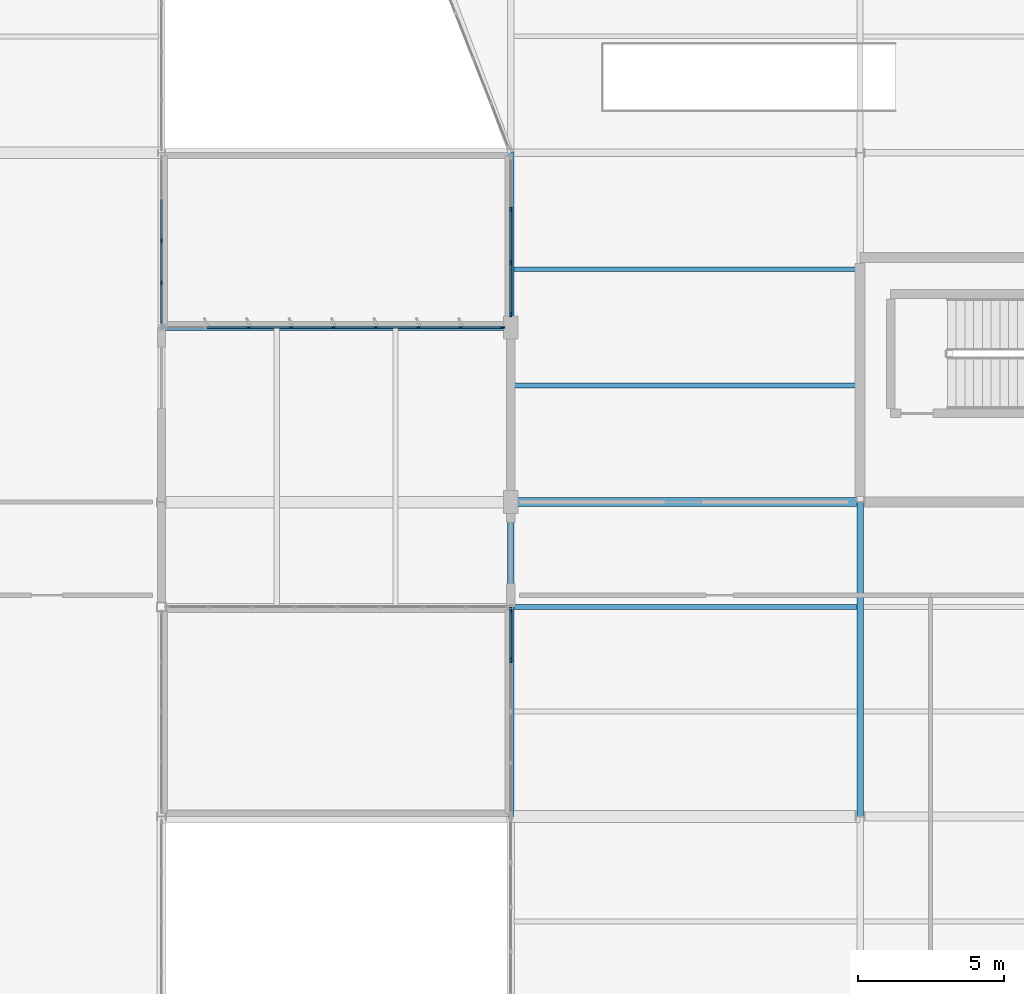
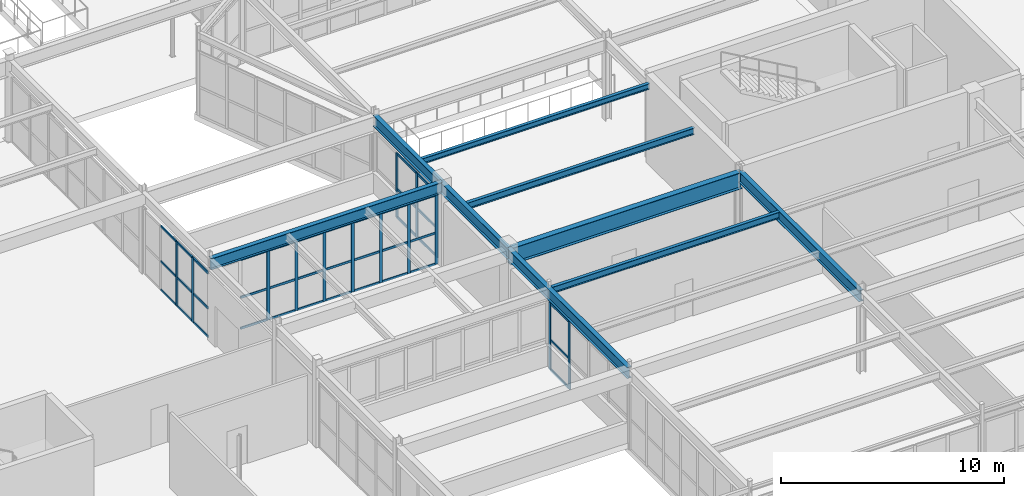
# One storey, part 108 of 226: 53 members, 8 beams, 4 elements without a shape of their own.
"""IFC4 building model written with IfcOpenShell, lengths in metres."""

import ifcopenshell
import ifcopenshell.guid

model = None  # the IFC model being written
_history = None  # IfcOwnerHistory: only IFC2X3 demands one
_inside = {}  # id of a spatial element -> (the spatial element, [elements in it])
_under = {}  # id of a project, library or spatial element -> (it, [spatial elements below it])
_declared = {}  # id of a project -> (the project, [libraries it declares])
_typed = {}  # id of a type object -> (the type object, [elements of that type])
_made_of = {}  # id of a material, layer set ... -> (it, [elements and type objects made of it])


def new_model(schema):
    """Start an empty IFC model of exactly this schema.

    Asked for "IFC4X3", IfcOpenShell would pick the latest addendum, in which some entities
    have other attributes; the version numbers below select the first issue.
    IFC2X3 requires an IfcOwnerHistory on every rooted entity: one is made here for all.
    """
    global model, _history
    if schema == "IFC4X3":
        model = ifcopenshell.file(schema_version=(4, 3, 0, 0))
    else:
        model = ifcopenshell.file(schema=schema)
    _inside.clear()
    _under.clear()
    _declared.clear()
    _typed.clear()
    _made_of.clear()
    _history = None
    if model.schema == "IFC2X3":
        org = make("IfcOrganization", Name="unknown")
        user = make(
            "IfcPersonAndOrganization",
            ThePerson=make("IfcPerson", FamilyName="unknown"),
            TheOrganization=org,
        )
        app = make(
            "IfcApplication",
            ApplicationDeveloper=org,
            Version="unknown",
            ApplicationFullName="unknown",
            ApplicationIdentifier="unknown",
        )
        _history = make(
            "IfcOwnerHistory",
            OwningUser=user,
            OwningApplication=app,
            ChangeAction="ADDED",
            CreationDate=0,
        )
    return model


def make(cls, **values):
    """One entity of the class cls with the attributes given. An attribute that is None is left unset."""
    return model.create_entity(
        cls, **{name: value for name, value in values.items() if value is not None}
    )


def rooted(cls, **values):
    """An entity with a GlobalId (a new one), such as an element, a storey or a relation."""
    return make(cls, GlobalId=ifcopenshell.guid.new(), OwnerHistory=_history, **values)


def si_unit(unit_type, name, prefix=None):
    """IfcSIUnit, for example si_unit("LENGTHUNIT", "METRE", prefix="MILLI")."""
    return make("IfcSIUnit", UnitType=unit_type, Prefix=prefix, Name=name)


def assignment(units):
    """IfcUnitAssignment: the units of a project."""
    return None if units is None else make("IfcUnitAssignment", Units=units)


def point(xyz):
    """IfcCartesianPoint."""
    return None if xyz is None else make("IfcCartesianPoint", Coordinates=xyz)


def direction(xyz):
    """IfcDirection."""
    return None if xyz is None else make("IfcDirection", DirectionRatios=xyz)


def frame(location, z_axis=None, x_axis=None):
    """IfcAxis2Placement3D, a coordinate frame: its origin and axes. An axis left out is left unset."""
    return make(
        "IfcAxis2Placement3D",
        Location=point(location),
        Axis=direction(z_axis),
        RefDirection=direction(x_axis),
    )


def frame_2d(location, x_axis=None):
    """IfcAxis2Placement2D, a coordinate frame in the plane: its origin and x axis."""
    return make(
        "IfcAxis2Placement2D", Location=point(location), RefDirection=direction(x_axis)
    )


def origin():
    """The frame at (0, 0, 0) with its axes left unset."""
    return frame((0.0, 0.0, 0.0))


def origin_2d():
    """The frame at (0, 0) in the plane with its x axis left unset."""
    return frame_2d((0.0, 0.0))


def place(relative_to, where):
    """IfcLocalPlacement: puts the frame where relative to a parent placement (None: the world)."""
    return make(
        "IfcLocalPlacement", PlacementRelTo=relative_to, RelativePlacement=where
    )


def context(
    kind, dimensions, precision=None, world=None, true_north=None, identifier=None
):
    """IfcGeometricRepresentationContext, for example the 3D "Model" context."""
    return make(
        "IfcGeometricRepresentationContext",
        ContextIdentifier=identifier,
        ContextType=kind,
        CoordinateSpaceDimension=dimensions,
        Precision=precision,
        WorldCoordinateSystem=world,
        TrueNorth=true_north,
    )


def subcontext(parent, identifier, kind, view, scale=None):
    """IfcGeometricRepresentationSubContext, for example "Body" below "Model"."""
    return make(
        "IfcGeometricRepresentationSubContext",
        ContextIdentifier=identifier,
        ContextType=kind,
        ParentContext=parent,
        TargetScale=scale,
        TargetView=view,
    )


def project(units=None, contexts=None):
    """IfcProject with its units and contexts."""
    return rooted(
        "IfcProject",
        Name="project",
        RepresentationContexts=contexts,
        UnitsInContext=assignment(units),
    )


def spatial(cls, under=None, at=None, **own):
    """A site, building, storey or space (cls), placed at a placement, below another one or the project."""
    s = rooted(cls, ObjectPlacement=at, **own)
    if under is not None:
        _under.setdefault(under.id(), (under, []))[1].append(s)
    return s


def profile(cls, at=None, kind="AREA", **sizes):
    """A parametric profile (cls). Its sizes go by their IFC names, for example OverallWidth=200.0."""
    return make(cls, ProfileType=kind, Position=at, **sizes)


def rectangle(**sizes):
    """IfcRectangleProfileDef."""
    return profile("IfcRectangleProfileDef", **sizes)


def i_section(**sizes):
    """IfcIShapeProfileDef."""
    return profile("IfcIShapeProfileDef", **sizes)


def extrude(swept, where, along, depth):
    """IfcExtrudedAreaSolid: the profile swept, set in the frame where, extruded along a direction by depth."""
    return make(
        "IfcExtrudedAreaSolid",
        SweptArea=swept,
        Position=where,
        ExtrudedDirection=direction(along),
        Depth=depth,
    )


def shape(context_of_items, identifier, shape_type, items):
    """IfcShapeRepresentation: the items that make up one representation, for example the "Body"."""
    return make(
        "IfcShapeRepresentation",
        ContextOfItems=context_of_items,
        RepresentationIdentifier=identifier,
        RepresentationType=shape_type,
        Items=items,
    )


def material(Name=None, Category=None):
    """IfcMaterial."""
    return make("IfcMaterial", Name=Name, Category=Category)


def layer(
    of_material, thickness, ventilated=None, Name=None, Category=None, Priority=None
):
    """IfcMaterialLayer: one layer of a wall or slab, of a material (None: an air gap)."""
    return make(
        "IfcMaterialLayer",
        Material=of_material,
        LayerThickness=thickness,
        IsVentilated=ventilated,
        Name=Name,
        Category=Category,
        Priority=Priority,
    )


def layer_set(layers, Name=None):
    """IfcMaterialLayerSet."""
    return make("IfcMaterialLayerSet", MaterialLayers=layers, LayerSetName=Name)


def material_profile(
    of_material, cross_section, Name=None, Category=None, Priority=None
):
    """IfcMaterialProfile: a cross section and its material."""
    return make(
        "IfcMaterialProfile",
        Name=Name,
        Material=of_material,
        Profile=cross_section,
        Priority=Priority,
        Category=Category,
    )


def profile_set(profiles, Name=None, composite=None):
    """IfcMaterialProfileSet."""
    return make(
        "IfcMaterialProfileSet",
        Name=Name,
        MaterialProfiles=profiles,
        CompositeProfile=composite,
    )


def made_of(thing, what):
    """Note that an element or type object is made of a material, layer set ...; save() writes the relation."""
    if what is not None:
        _made_of.setdefault(what.id(), (what, []))[1].append(thing)
    return thing


def type_object(cls, material=None, **own):
    """A type object (cls), such as IfcWallType, which elements share."""
    return made_of(rooted(cls, **own), material)


def element(
    cls,
    number,
    at=None,
    inside=None,
    cuts=None,
    type_object=None,
    material=None,
    context=None,
    identifier="Body",
    shape_type=None,
    held_by="IfcProductDefinitionShape",
    body=None,
    shapes=None,
    **own,
):
    """One element of the class cls, such as IfcWall. Its Tag is "e" and its number.

    at: its placement. inside: the storey or other place that contains it. cuts: it is an
    opening in that element (IfcRelVoidsElement). A single representation is given by context,
    identifier, shape_type and body (its items); several are given by shapes. held_by: the class
    of the entity that holds the representations. save() writes the other relations.
    """
    e = rooted(cls, Tag="e%d" % number, ObjectPlacement=at, **own)
    if body is not None:
        shapes = [shape(context, identifier, shape_type, body)]
    if shapes is not None:
        e.Representation = make(held_by, Representations=shapes)
    if inside is not None:
        _inside.setdefault(inside.id(), (inside, []))[1].append(e)
    if cuts is not None:
        rooted(
            "IfcRelVoidsElement", RelatingBuildingElement=cuts, RelatedOpeningElement=e
        )
    if type_object is not None:
        _typed.setdefault(type_object.id(), (type_object, []))[1].append(e)
    return made_of(e, material)


def aggregate(whole, parts):
    """IfcRelAggregates: a whole, such as a stair, and the parts it consists of."""
    return rooted("IfcRelAggregates", RelatingObject=whole, RelatedObjects=parts)


def save(model, path):
    """Write the relations noted so far, then the file.

    IfcRelAggregates (storeys below a building ...), IfcRelContainedInSpatialStructure (elements
    in a storey), IfcRelDefinesByType, IfcRelAssociatesMaterial and IfcRelDeclares: one each for
    every whole, place, type object, material and project.
    """
    for whole, parts in _under.values():
        aggregate(whole, parts)
    for where, things in _inside.values():
        rooted(
            "IfcRelContainedInSpatialStructure",
            RelatedElements=things,
            RelatingStructure=where,
        )
    for kind, things in _typed.values():
        rooted("IfcRelDefinesByType", RelatedObjects=things, RelatingType=kind)
    for what, things in _made_of.values():
        rooted("IfcRelAssociatesMaterial", RelatedObjects=things, RelatingMaterial=what)
    for by, libraries in _declared.values():
        rooted("IfcRelDeclares", RelatingContext=by, RelatedDefinitions=libraries)
    model.write(path)


model = new_model("IFC4")

# Units and contexts
model_context = context("Model", 3, precision=1e-05, world=origin(), true_north=direction((0.0, 1.0)))
body_context = subcontext(model_context, "Body", "Model", "MODEL_VIEW")
ifc_project = project(units=[si_unit("LENGTHUNIT", "METRE"), si_unit("AREAUNIT", "SQUARE_METRE"), si_unit("VOLUMEUNIT", "CUBIC_METRE"), si_unit("PLANEANGLEUNIT", "RADIAN"), si_unit("MASSUNIT", "GRAM", prefix="KILO")], contexts=[model_context])

# Site, building, storey
site_placement = place(None, origin())
site = spatial("IfcSite", under=ifc_project, at=site_placement, CompositionType="ELEMENT")
building_placement = place(site_placement, origin())
building = spatial("IfcBuilding", under=site, at=building_placement, Name="Tarnwether General Hospital", CompositionType="ELEMENT")
storey_placement = place(building_placement, frame((0.0, 0.0, 4.800048828125)))
storey = spatial("IfcBuildingStorey", under=building, at=storey_placement, Name="L01", CompositionType="ELEMENT", Elevation=4.800048828125)

# Beams
ifc_material_1 = material(Name="Steel Grade 350 (350 MPa)", Category="steel")
ifc_material_profile_1 = material_profile(ifc_material_1, i_section(OverallWidth=0.300048828125, OverallDepth=0.89990234375, WebThickness=0.011962890625, FlangeThickness=0.02001953125, at=origin_2d()), Name="900WB175")
ifc_profile_set_1 = profile_set([ifc_material_profile_1], Name="Steel Grade 350 (350 MPa)")
beam_type_1 = type_object("IfcBeamType", Name="BM-G01", PredefinedType="BEAM", material=ifc_profile_set_1)
beam_1_placement = place(storey_placement, frame((144.0, 21.60009765625, 3.994873046875), z_axis=(1.0, 0.0, 0.0), x_axis=(0.0, 1.0, 0.0)))
element("IfcBeam", 1, at=beam_1_placement, inside=storey, type_object=beam_type_1, Name="Primary Girder BMG-L01-14400_2160-15600_2160-1214", PredefinedType="BEAM", context=body_context, shape_type="SweptSolid", body=[
    extrude(i_section(OverallWidth=0.300048828125, OverallDepth=0.89990234375, WebThickness=0.011962890625, FlangeThickness=0.02001953125, at=origin_2d()), origin(), (0.0, 0.0, 1.0), 12.0),
])
ifc_material_2 = material(Name="Steel Grade 350 (350 MPa)", Category="steel")
ifc_material_profile_2 = material_profile(ifc_material_2, i_section(OverallWidth=0.22900390625, OverallDepth=0.612060546875, WebThickness=0.011962890625, FlangeThickness=0.01953125, at=origin_2d()), Name="610UB125")
ifc_profile_set_2 = profile_set([ifc_material_profile_2], Name="Steel Grade 350 (350 MPa)")
beam_type_2 = type_object("IfcBeamType", Name="BM-G03", PredefinedType="BEAM", material=ifc_profile_set_2)
beam_2_placement = place(storey_placement, frame((144.0, 10.800048828125, 4.138916015625), z_axis=(0.0, 1.0, 0.0), x_axis=(-1.0, 0.0, 0.0)))
element("IfcBeam", 2, at=beam_2_placement, inside=storey, type_object=beam_type_2, Name="Primary Girder BMG-L01-14400_1080-14400_2160-1213", PredefinedType="BEAM", context=body_context, shape_type="SweptSolid", body=[
    extrude(i_section(OverallWidth=0.22900390625, OverallDepth=0.612060546875, WebThickness=0.011962890625, FlangeThickness=0.01953125, at=origin_2d()), origin(), (0.0, 0.0, 1.0), 10.800048828125),
])
beam_3_placement = place(storey_placement, frame((132.0, 27.60009765625, 4.138916015625), z_axis=(1.0, 0.0, 0.0), x_axis=(0.0, 1.0, 0.0)))
element("IfcBeam", 3, at=beam_3_placement, inside=storey, type_object=beam_type_2, Name="Court Link Bridge Girder South BMG-L01-13200_2760-14400_2760-1863", PredefinedType="BEAM", context=body_context, shape_type="SweptSolid", body=[
    extrude(i_section(OverallWidth=0.22900390625, OverallDepth=0.612060546875, WebThickness=0.011962890625, FlangeThickness=0.01953125, at=origin_2d()), origin(), (0.0, 0.0, 1.0), 12.0),
])
ifc_material_3 = material(Name="Steel Grade 350 (350 MPa)", Category="steel")
ifc_material_profile_3 = material_profile(ifc_material_3, i_section(OverallWidth=0.22802734375, OverallDepth=0.60693359375, WebThickness=0.01123046875, FlangeThickness=0.017333984375, at=origin_2d()), Name="610UB113")
ifc_profile_set_3 = profile_set([ifc_material_profile_3], Name="Steel Grade 350 (350 MPa)")
beam_type_3 = type_object("IfcBeamType", Name="BM-G04", PredefinedType="BEAM", material=ifc_profile_set_3)
beam_4_placement = place(storey_placement, frame((144.0, 21.60009765625, 4.141357421875), z_axis=(0.0, 1.0, 0.0), x_axis=(-1.0, 0.0, 0.0)))
element("IfcBeam", 4, at=beam_4_placement, inside=storey, type_object=beam_type_3, Name="Primary Girder BMG-L01-14400_2160-14400_3360-1215", PredefinedType="BEAM", context=body_context, shape_type="SweptSolid", body=[
    extrude(i_section(OverallWidth=0.22802734375, OverallDepth=0.60693359375, WebThickness=0.01123046875, FlangeThickness=0.017333984375, at=origin_2d()), origin(), (0.0, 0.0, 1.0), 12.0),
])
beam_5_placement = place(storey_placement, frame((156.0, 10.800048828125, 4.141357421875), z_axis=(0.0, 1.0, 0.0), x_axis=(-1.0, 0.0, 0.0)))
element("IfcBeam", 5, at=beam_5_placement, inside=storey, type_object=beam_type_3, Name="Primary Girder BMG-L01-15600_1080-15600_2160-1234", PredefinedType="BEAM", context=body_context, shape_type="SweptSolid", body=[
    extrude(i_section(OverallWidth=0.22802734375, OverallDepth=0.60693359375, WebThickness=0.01123046875, FlangeThickness=0.017333984375, at=origin_2d()), origin(), (0.0, 0.0, 1.0), 10.800048828125),
])
ifc_material_4 = material(Name="Steel Grade 350 (350 MPa)", Category="steel")
ifc_material_profile_4 = material_profile(ifc_material_4, i_section(OverallWidth=0.1708984375, OverallDepth=0.35595703125, WebThickness=0.00732421875, FlangeThickness=0.011474609375, at=origin_2d()), Name="360UB50.7")
ifc_profile_set_4 = profile_set([ifc_material_profile_4], Name="Steel Grade 350 (350 MPa)")
beam_type_4 = type_object("IfcBeamType", Name="BM-J04", PredefinedType="JOIST", material=ifc_profile_set_4)
for number, where, z_axis, x_axis, name in (
    (6, (144.10791015625, 18.0, 4.266845703125), (1.0, 0.0, 0.0), (0.0, 1.0, 0.0), "Composite Floor Joist BMG-L01-14411_1800-15589_1800-1388"),
    (7, (144.10791015625, 25.60009765625, 4.266845703125), (1.0, 0.0, 0.0), (0.0, 1.0, 0.0), "Composite Floor Joist BMG-L01-14411_2560-15589_2560-1389"),
):
    element("IfcBeam", number, at=place(storey_placement, frame(where, z_axis=z_axis, x_axis=x_axis)), inside=storey, type_object=beam_type_4, Name=name, PredefinedType="JOIST", context=body_context, shape_type="SweptSolid", body=[
        extrude(i_section(OverallWidth=0.1708984375, OverallDepth=0.35595703125, WebThickness=0.00732421875, FlangeThickness=0.011474609375, at=origin_2d()), origin(), (0.0, 0.0, 1.0), 11.7841796875),
    ])
ifc_material_5 = material(Name="Steel Grade 350 (350 MPa)", Category="steel")
ifc_material_profile_5 = material_profile(ifc_material_5, i_section(OverallWidth=0.166015625, OverallDepth=0.306884765625, WebThickness=0.006591796875, FlangeThickness=0.01171875, at=origin_2d()), Name="310UB46.2")
ifc_profile_set_5 = profile_set([ifc_material_profile_5], Name="Steel Grade 350 (350 MPa)")
beam_type_5 = type_object("IfcBeamType", Name="BM-J05", PredefinedType="JOIST", material=ifc_profile_set_5)
beam_6_placement = place(storey_placement, frame((144.10791015625, 29.60009765625, 4.29150390625), z_axis=(1.0, 0.0, 0.0), x_axis=(0.0, 1.0, 0.0)))
element("IfcBeam", 8, at=beam_6_placement, inside=storey, type_object=beam_type_5, Name="Composite Floor Joist BMG-L01-14411_2960-15589_2960-1390", PredefinedType="JOIST", context=body_context, shape_type="SweptSolid", body=[
    extrude(i_section(OverallWidth=0.166015625, OverallDepth=0.306884765625, WebThickness=0.006591796875, FlangeThickness=0.01171875, at=origin_2d()), origin(), (0.0, 0.0, 1.0), 11.7841796875),
])

# Curtain wall, members
ifc_material_6 = material(Name="Anodised aluminium", Category="aluminium")
ifc_layer_1 = layer(ifc_material_6, 0.159912109375)
ifc_layer_set_1 = layer_set([ifc_layer_1], Name="Anodised aluminium")
curtain_wall_type_1 = type_object("IfcCurtainWallType", Name="CW-15", PredefinedType="NOTDEFINED", material=ifc_layer_set_1)
curtain_wall_1_placement = place(storey_placement, origin())
curtain_wall_1 = element("IfcCurtainWall", 9, at=curtain_wall_1_placement, inside=storey, type_object=curtain_wall_type_1, Name="Curtain Wall CWG-L01-1440_109-0364", PredefinedType="NOTDEFINED")
ifc_material_7 = material(Name="Anodised aluminium", Category="aluminium")
ifc_material_profile_6 = material_profile(ifc_material_7, rectangle(XDim=0.06005859375, YDim=0.159912109375, at=origin_2d()), Name="ALU-MUL-60x160")
ifc_profile_set_6 = profile_set([ifc_material_profile_6], Name="Anodised aluminium")
member_type_1 = type_object("IfcMemberType", Name="CW-ML1", PredefinedType="MULLION", material=ifc_profile_set_6)
member_1_placement = place(storey_placement, frame((144.0, 16.1650390625, 0.0), z_axis=(0.0, 0.0, 1.0), x_axis=(-1.0, 0.0, 0.0)))
member_1 = element("IfcMember", 10, at=member_1_placement, type_object=member_type_1, Name="CW-15 mullion 4", PredefinedType="MULLION", context=body_context, shape_type="SweptSolid", body=[
    extrude(rectangle(XDim=0.06005859375, YDim=0.159912109375, at=origin_2d()), origin(), (0.0, 0.0, 1.0), 3.679931640625),
])
member_2_placement = place(storey_placement, frame((144.0, 17.89990234375, 0.0), z_axis=(0.0, 0.0, 1.0), x_axis=(-1.0, 0.0, 0.0)))
member_2 = element("IfcMember", 11, at=member_2_placement, type_object=member_type_1, Name="CW-15 mullion 5", PredefinedType="MULLION", context=body_context, shape_type="SweptSolid", body=[
    extrude(rectangle(XDim=0.06005859375, YDim=0.159912109375, at=origin_2d()), origin(), (0.0, 0.0, 1.0), 3.679931640625),
])

curtain_wall_2_placement = place(storey_placement, origin())
curtain_wall_2 = element("IfcCurtainWall", 12, at=curtain_wall_2_placement, inside=storey, type_object=curtain_wall_type_1, Name="Curtain Wall CWG-L01-1320_335-0366", PredefinedType="NOTDEFINED")
member_3_placement = place(storey_placement, frame((132.0, 30.575439453125, 0.0), z_axis=(0.0, 0.0, 1.0), x_axis=(1.0, 0.0, 0.0)))
member_3 = element("IfcMember", 13, at=member_3_placement, type_object=member_type_1, Name="CW-15 mullion 3", PredefinedType="MULLION", context=body_context, shape_type="SweptSolid", body=[
    extrude(rectangle(XDim=0.06005859375, YDim=0.159912109375, at=origin_2d()), origin(), (0.0, 0.0, 1.0), 3.530029296875),
])
member_4_placement = place(storey_placement, frame((132.0, 29.13134765625, 0.0), z_axis=(0.0, 0.0, 1.0), x_axis=(1.0, 0.0, 0.0)))
member_4 = element("IfcMember", 14, at=member_4_placement, type_object=member_type_1, Name="CW-15 mullion 4", PredefinedType="MULLION", context=body_context, shape_type="SweptSolid", body=[
    extrude(rectangle(XDim=0.06005859375, YDim=0.159912109375, at=origin_2d()), origin(), (0.0, 0.0, 1.0), 3.530029296875),
])

curtain_wall_3_placement = place(storey_placement, origin())
curtain_wall_3 = element("IfcCurtainWall", 15, at=curtain_wall_3_placement, inside=storey, type_object=curtain_wall_type_1, Name="Curtain Wall CWG-L01-1440_280-0367", PredefinedType="NOTDEFINED")
member_5_placement = place(storey_placement, frame((144.0, 28.0380859375, 0.0), z_axis=(0.0, 0.0, 1.0), x_axis=(-1.0, 0.0, 0.0)))
member_5 = element("IfcMember", 16, at=member_5_placement, type_object=member_type_1, Name="CW-15 mullion 1", PredefinedType="MULLION", context=body_context, shape_type="SweptSolid", body=[
    extrude(rectangle(XDim=0.06005859375, YDim=0.159912109375, at=origin_2d()), origin(), (0.0, 0.0, 1.0), 3.530029296875),
])
member_6_placement = place(storey_placement, frame((144.0, 29.826904296875, 0.0), z_axis=(0.0, 0.0, 1.0), x_axis=(-1.0, 0.0, 0.0)))
member_6 = element("IfcMember", 17, at=member_6_placement, type_object=member_type_1, Name="CW-15 mullion 2", PredefinedType="MULLION", context=body_context, shape_type="SweptSolid", body=[
    extrude(rectangle(XDim=0.06005859375, YDim=0.159912109375, at=origin_2d()), origin(), (0.0, 0.0, 1.0), 3.530029296875),
])
member_7_placement = place(storey_placement, frame((144.0, 31.64599609375, 0.0), z_axis=(0.0, 0.0, 1.0), x_axis=(-1.0, 0.0, 0.0)))
member_7 = element("IfcMember", 18, at=member_7_placement, type_object=member_type_1, Name="CW-15 mullion 3", PredefinedType="MULLION", context=body_context, shape_type="SweptSolid", body=[
    extrude(rectangle(XDim=0.06005859375, YDim=0.159912109375, at=origin_2d()), origin(), (0.0, 0.0, 1.0), 3.530029296875),
])

ifc_material_8 = material(Name="Anodised aluminium", Category="aluminium")
ifc_layer_2 = layer(ifc_material_8, 0.159912109375)
ifc_layer_set_2 = layer_set([ifc_layer_2], Name="Anodised aluminium")
curtain_wall_type_2 = type_object("IfcCurtainWallType", Name="CW-21", PredefinedType="NOTDEFINED", material=ifc_layer_set_2)
curtain_wall_4_placement = place(storey_placement, origin())
curtain_wall_4 = element("IfcCurtainWall", 19, at=curtain_wall_4_placement, inside=storey, type_object=curtain_wall_type_2, Name="Curtain Wall CWG-L01-1321_276-0399", PredefinedType="NOTDEFINED")
member_8_placement = place(storey_placement, frame((134.99853515625, 27.60009765625, 0.0), z_axis=(0.0, 0.0, 1.0), x_axis=(0.0, 1.0, 0.0)))
member_8 = element("IfcMember", 20, at=member_8_placement, type_object=member_type_1, Name="CW-21 mullion 3", PredefinedType="MULLION", context=body_context, shape_type="SweptSolid", body=[
    extrude(rectangle(XDim=0.06005859375, YDim=0.159912109375, at=origin_2d()), origin(), (0.0, 0.0, 1.0), 3.81787109375),
])
member_9_placement = place(storey_placement, frame((136.455810546875, 27.60009765625, 0.0), z_axis=(0.0, 0.0, 1.0), x_axis=(0.0, 1.0, 0.0)))
member_9 = element("IfcMember", 21, at=member_9_placement, type_object=member_type_1, Name="CW-21 mullion 4", PredefinedType="MULLION", context=body_context, shape_type="SweptSolid", body=[
    extrude(rectangle(XDim=0.06005859375, YDim=0.159912109375, at=origin_2d()), origin(), (0.0, 0.0, 1.0), 3.81787109375),
])
member_10_placement = place(storey_placement, frame((137.9130859375, 27.60009765625, 0.0), z_axis=(0.0, 0.0, 1.0), x_axis=(0.0, 1.0, 0.0)))
member_10 = element("IfcMember", 22, at=member_10_placement, type_object=member_type_1, Name="CW-21 mullion 5", PredefinedType="MULLION", context=body_context, shape_type="SweptSolid", body=[
    extrude(rectangle(XDim=0.06005859375, YDim=0.159912109375, at=origin_2d()), origin(), (0.0, 0.0, 1.0), 3.81787109375),
])
member_11_placement = place(storey_placement, frame((139.370361328125, 27.60009765625, 0.0), z_axis=(0.0, 0.0, 1.0), x_axis=(0.0, 1.0, 0.0)))
member_11 = element("IfcMember", 23, at=member_11_placement, type_object=member_type_1, Name="CW-21 mullion 6", PredefinedType="MULLION", context=body_context, shape_type="SweptSolid", body=[
    extrude(rectangle(XDim=0.06005859375, YDim=0.159912109375, at=origin_2d()), origin(), (0.0, 0.0, 1.0), 3.81787109375),
])
member_12_placement = place(storey_placement, frame((140.827392578125, 27.60009765625, 0.0), z_axis=(0.0, 0.0, 1.0), x_axis=(0.0, 1.0, 0.0)))
member_12 = element("IfcMember", 24, at=member_12_placement, type_object=member_type_1, Name="CW-21 mullion 7", PredefinedType="MULLION", context=body_context, shape_type="SweptSolid", body=[
    extrude(rectangle(XDim=0.06005859375, YDim=0.159912109375, at=origin_2d()), origin(), (0.0, 0.0, 1.0), 3.81787109375),
])
member_13_placement = place(storey_placement, frame((142.28466796875, 27.60009765625, 0.0), z_axis=(0.0, 0.0, 1.0), x_axis=(0.0, 1.0, 0.0)))
member_13 = element("IfcMember", 25, at=member_13_placement, type_object=member_type_1, Name="CW-21 mullion 8", PredefinedType="MULLION", context=body_context, shape_type="SweptSolid", body=[
    extrude(rectangle(XDim=0.06005859375, YDim=0.159912109375, at=origin_2d()), origin(), (0.0, 0.0, 1.0), 3.81787109375),
])
member_14_placement = place(storey_placement, frame((143.7119140625, 27.60009765625, 0.0), z_axis=(0.0, 0.0, 1.0), x_axis=(0.0, 1.0, 0.0)))
member_14 = element("IfcMember", 26, at=member_14_placement, type_object=member_type_1, Name="CW-21 mullion 9", PredefinedType="MULLION", context=body_context, shape_type="SweptSolid", body=[
    extrude(rectangle(XDim=0.06005859375, YDim=0.159912109375, at=origin_2d()), origin(), (0.0, 0.0, 1.0), 3.81787109375),
])

# Member
ifc_material_9 = material(Name="Anodised aluminium", Category="aluminium")
ifc_material_profile_7 = material_profile(ifc_material_9, rectangle(XDim=0.06005859375, YDim=0.1201171875, at=origin_2d()), Name="ALU-TRN-60x120")
ifc_profile_set_7 = profile_set([ifc_material_profile_7], Name="Anodised aluminium")
member_type_2 = type_object("IfcMemberType", Name="CW-TR1", PredefinedType="USERDEFINED", material=ifc_profile_set_7)
member_15_placement = place(storey_placement, frame((144.0, 16.195068359375, 0.030029296875), z_axis=(0.0, 1.0, 0.0), x_axis=(-1.0, 0.0, 0.0)))
member_15 = element("IfcMember", 27, at=member_15_placement, type_object=member_type_2, Name="CW-15 transom 4.1", ObjectType="TRANSOM", PredefinedType="USERDEFINED", context=body_context, shape_type="SweptSolid", body=[
    extrude(rectangle(XDim=0.06005859375, YDim=0.1201171875, at=origin_2d()), origin(), (0.0, 0.0, 1.0), 1.675048828125),
])

member_16_placement = place(storey_placement, frame((144.0, 16.195068359375, 1.656005859375), z_axis=(0.0, 1.0, 0.0), x_axis=(-1.0, 0.0, 0.0)))
member_16 = element("IfcMember", 28, at=member_16_placement, type_object=member_type_2, Name="CW-15 transom 4.2", ObjectType="TRANSOM", PredefinedType="USERDEFINED", context=body_context, shape_type="SweptSolid", body=[
    extrude(rectangle(XDim=0.06005859375, YDim=0.1201171875, at=origin_2d()), origin(), (0.0, 0.0, 1.0), 1.675048828125),
])

member_17_placement = place(storey_placement, frame((144.0, 16.195068359375, 3.64990234375), z_axis=(0.0, 1.0, 0.0), x_axis=(-1.0, 0.0, 0.0)))
member_17 = element("IfcMember", 29, at=member_17_placement, type_object=member_type_2, Name="CW-15 transom 4.3", ObjectType="TRANSOM", PredefinedType="USERDEFINED", context=body_context, shape_type="SweptSolid", body=[
    extrude(rectangle(XDim=0.06005859375, YDim=0.1201171875, at=origin_2d()), origin(), (0.0, 0.0, 1.0), 1.675048828125),
])

aggregate(curtain_wall_1, [member_1, member_2, member_15, member_16, member_17])

member_18_placement = place(storey_placement, frame((132.0, 31.98974609375, 0.030029296875), z_axis=(0.0, -1.0, 0.0), x_axis=(1.0, 0.0, 0.0)))
member_18 = element("IfcMember", 30, at=member_18_placement, type_object=member_type_2, Name="CW-15 transom 2.1", ObjectType="TRANSOM", PredefinedType="USERDEFINED", context=body_context, shape_type="SweptSolid", body=[
    extrude(rectangle(XDim=0.06005859375, YDim=0.1201171875, at=origin_2d()), origin(), (0.0, 0.0, 1.0), 1.38427734375),
])

member_19_placement = place(storey_placement, frame((132.0, 31.98974609375, 1.58837890625), z_axis=(0.0, -1.0, 0.0), x_axis=(1.0, 0.0, 0.0)))
member_19 = element("IfcMember", 31, at=member_19_placement, type_object=member_type_2, Name="CW-15 transom 2.2", ObjectType="TRANSOM", PredefinedType="USERDEFINED", context=body_context, shape_type="SweptSolid", body=[
    extrude(rectangle(XDim=0.06005859375, YDim=0.1201171875, at=origin_2d()), origin(), (0.0, 0.0, 1.0), 1.38427734375),
])

member_20_placement = place(storey_placement, frame((132.0, 31.98974609375, 3.5), z_axis=(0.0, -1.0, 0.0), x_axis=(1.0, 0.0, 0.0)))
member_20 = element("IfcMember", 32, at=member_20_placement, type_object=member_type_2, Name="CW-15 transom 2.3", ObjectType="TRANSOM", PredefinedType="USERDEFINED", context=body_context, shape_type="SweptSolid", body=[
    extrude(rectangle(XDim=0.06005859375, YDim=0.1201171875, at=origin_2d()), origin(), (0.0, 0.0, 1.0), 1.38427734375),
])

member_21_placement = place(storey_placement, frame((132.0, 30.54541015625, 0.030029296875), z_axis=(0.0, -1.0, 0.0), x_axis=(1.0, 0.0, 0.0)))
member_21 = element("IfcMember", 33, at=member_21_placement, type_object=member_type_2, Name="CW-15 transom 3.1", ObjectType="TRANSOM", PredefinedType="USERDEFINED", context=body_context, shape_type="SweptSolid", body=[
    extrude(rectangle(XDim=0.06005859375, YDim=0.1201171875, at=origin_2d()), origin(), (0.0, 0.0, 1.0), 1.38427734375),
])

member_22_placement = place(storey_placement, frame((132.0, 30.54541015625, 1.58837890625), z_axis=(0.0, -1.0, 0.0), x_axis=(1.0, 0.0, 0.0)))
member_22 = element("IfcMember", 34, at=member_22_placement, type_object=member_type_2, Name="CW-15 transom 3.2", ObjectType="TRANSOM", PredefinedType="USERDEFINED", context=body_context, shape_type="SweptSolid", body=[
    extrude(rectangle(XDim=0.06005859375, YDim=0.1201171875, at=origin_2d()), origin(), (0.0, 0.0, 1.0), 1.38427734375),
])

member_23_placement = place(storey_placement, frame((132.0, 30.54541015625, 3.5), z_axis=(0.0, -1.0, 0.0), x_axis=(1.0, 0.0, 0.0)))
member_23 = element("IfcMember", 35, at=member_23_placement, type_object=member_type_2, Name="CW-15 transom 3.3", ObjectType="TRANSOM", PredefinedType="USERDEFINED", context=body_context, shape_type="SweptSolid", body=[
    extrude(rectangle(XDim=0.06005859375, YDim=0.1201171875, at=origin_2d()), origin(), (0.0, 0.0, 1.0), 1.38427734375),
])

member_24_placement = place(storey_placement, frame((132.0, 29.101318359375, 0.030029296875), z_axis=(0.0, -1.0, 0.0), x_axis=(1.0, 0.0, 0.0)))
member_24 = element("IfcMember", 36, at=member_24_placement, type_object=member_type_2, Name="CW-15 transom 4.1", ObjectType="TRANSOM", PredefinedType="USERDEFINED", context=body_context, shape_type="SweptSolid", body=[
    extrude(rectangle(XDim=0.06005859375, YDim=0.1201171875, at=origin_2d()), origin(), (0.0, 0.0, 1.0), 1.354248046875),
])

member_25_placement = place(storey_placement, frame((132.0, 29.101318359375, 1.58837890625), z_axis=(0.0, -1.0, 0.0), x_axis=(1.0, 0.0, 0.0)))
member_25 = element("IfcMember", 37, at=member_25_placement, type_object=member_type_2, Name="CW-15 transom 4.2", ObjectType="TRANSOM", PredefinedType="USERDEFINED", context=body_context, shape_type="SweptSolid", body=[
    extrude(rectangle(XDim=0.06005859375, YDim=0.1201171875, at=origin_2d()), origin(), (0.0, 0.0, 1.0), 1.354248046875),
])

member_26_placement = place(storey_placement, frame((132.0, 29.101318359375, 3.5), z_axis=(0.0, -1.0, 0.0), x_axis=(1.0, 0.0, 0.0)))
member_26 = element("IfcMember", 38, at=member_26_placement, type_object=member_type_2, Name="CW-15 transom 4.3", ObjectType="TRANSOM", PredefinedType="USERDEFINED", context=body_context, shape_type="SweptSolid", body=[
    extrude(rectangle(XDim=0.06005859375, YDim=0.1201171875, at=origin_2d()), origin(), (0.0, 0.0, 1.0), 1.354248046875),
])

aggregate(curtain_wall_2, [member_3, member_4, member_18, member_19, member_20, member_21, member_22, member_23, member_24, member_25, member_26])

member_27_placement = place(storey_placement, frame((144.0, 28.068115234375, 0.030029296875), z_axis=(0.0, 1.0, 0.0), x_axis=(-1.0, 0.0, 0.0)))
member_27 = element("IfcMember", 39, at=member_27_placement, type_object=member_type_2, Name="CW-15 transom 1.1", ObjectType="TRANSOM", PredefinedType="USERDEFINED", context=body_context, shape_type="SweptSolid", body=[
    extrude(rectangle(XDim=0.06005859375, YDim=0.1201171875, at=origin_2d()), origin(), (0.0, 0.0, 1.0), 1.72900390625),
])

member_28_placement = place(storey_placement, frame((144.0, 28.068115234375, 1.58837890625), z_axis=(0.0, 1.0, 0.0), x_axis=(-1.0, 0.0, 0.0)))
member_28 = element("IfcMember", 40, at=member_28_placement, type_object=member_type_2, Name="CW-15 transom 1.2", ObjectType="TRANSOM", PredefinedType="USERDEFINED", context=body_context, shape_type="SweptSolid", body=[
    extrude(rectangle(XDim=0.06005859375, YDim=0.1201171875, at=origin_2d()), origin(), (0.0, 0.0, 1.0), 1.72900390625),
])

member_29_placement = place(storey_placement, frame((144.0, 28.068115234375, 3.5), z_axis=(0.0, 1.0, 0.0), x_axis=(-1.0, 0.0, 0.0)))
member_29 = element("IfcMember", 41, at=member_29_placement, type_object=member_type_2, Name="CW-15 transom 1.3", ObjectType="TRANSOM", PredefinedType="USERDEFINED", context=body_context, shape_type="SweptSolid", body=[
    extrude(rectangle(XDim=0.06005859375, YDim=0.1201171875, at=origin_2d()), origin(), (0.0, 0.0, 1.0), 1.72900390625),
])

member_30_placement = place(storey_placement, frame((144.0, 29.85693359375, 0.030029296875), z_axis=(0.0, 1.0, 0.0), x_axis=(-1.0, 0.0, 0.0)))
member_30 = element("IfcMember", 42, at=member_30_placement, type_object=member_type_2, Name="CW-15 transom 2.1", ObjectType="TRANSOM", PredefinedType="USERDEFINED", context=body_context, shape_type="SweptSolid", body=[
    extrude(rectangle(XDim=0.06005859375, YDim=0.1201171875, at=origin_2d()), origin(), (0.0, 0.0, 1.0), 1.759033203125),
])

member_31_placement = place(storey_placement, frame((144.0, 29.85693359375, 1.58837890625), z_axis=(0.0, 1.0, 0.0), x_axis=(-1.0, 0.0, 0.0)))
member_31 = element("IfcMember", 43, at=member_31_placement, type_object=member_type_2, Name="CW-15 transom 2.2", ObjectType="TRANSOM", PredefinedType="USERDEFINED", context=body_context, shape_type="SweptSolid", body=[
    extrude(rectangle(XDim=0.06005859375, YDim=0.1201171875, at=origin_2d()), origin(), (0.0, 0.0, 1.0), 1.759033203125),
])

member_32_placement = place(storey_placement, frame((144.0, 29.85693359375, 3.5), z_axis=(0.0, 1.0, 0.0), x_axis=(-1.0, 0.0, 0.0)))
member_32 = element("IfcMember", 44, at=member_32_placement, type_object=member_type_2, Name="CW-15 transom 2.3", ObjectType="TRANSOM", PredefinedType="USERDEFINED", context=body_context, shape_type="SweptSolid", body=[
    extrude(rectangle(XDim=0.06005859375, YDim=0.1201171875, at=origin_2d()), origin(), (0.0, 0.0, 1.0), 1.759033203125),
])

aggregate(curtain_wall_3, [member_5, member_6, member_7, member_27, member_28, member_29, member_30, member_31, member_32])

member_33_placement = place(storey_placement, frame((133.5712890625, 27.60009765625, 0.030029296875), z_axis=(1.0, 0.0, 0.0), x_axis=(0.0, 1.0, 0.0)))
member_33 = element("IfcMember", 45, at=member_33_placement, type_object=member_type_2, Name="CW-21 transom 2.1", ObjectType="TRANSOM", PredefinedType="USERDEFINED", context=body_context, shape_type="SweptSolid", body=[
    extrude(rectangle(XDim=0.06005859375, YDim=0.1201171875, at=origin_2d()), origin(), (0.0, 0.0, 1.0), 1.397216796875),
])

member_34_placement = place(storey_placement, frame((133.5712890625, 27.60009765625, 1.718017578125), z_axis=(1.0, 0.0, 0.0), x_axis=(0.0, 1.0, 0.0)))
member_34 = element("IfcMember", 46, at=member_34_placement, type_object=member_type_2, Name="CW-21 transom 2.2", ObjectType="TRANSOM", PredefinedType="USERDEFINED", context=body_context, shape_type="SweptSolid", body=[
    extrude(rectangle(XDim=0.06005859375, YDim=0.1201171875, at=origin_2d()), origin(), (0.0, 0.0, 1.0), 1.397216796875),
])

member_35_placement = place(storey_placement, frame((133.5712890625, 27.60009765625, 3.787841796875), z_axis=(1.0, 0.0, 0.0), x_axis=(0.0, 1.0, 0.0)))
member_35 = element("IfcMember", 47, at=member_35_placement, type_object=member_type_2, Name="CW-21 transom 2.3", ObjectType="TRANSOM", PredefinedType="USERDEFINED", context=body_context, shape_type="SweptSolid", body=[
    extrude(rectangle(XDim=0.06005859375, YDim=0.1201171875, at=origin_2d()), origin(), (0.0, 0.0, 1.0), 1.397216796875),
])

member_36_placement = place(storey_placement, frame((135.028564453125, 27.60009765625, 0.030029296875), z_axis=(1.0, 0.0, 0.0), x_axis=(0.0, 1.0, 0.0)))
member_36 = element("IfcMember", 48, at=member_36_placement, type_object=member_type_2, Name="CW-21 transom 3.1", ObjectType="TRANSOM", PredefinedType="USERDEFINED", context=body_context, shape_type="SweptSolid", body=[
    extrude(rectangle(XDim=0.06005859375, YDim=0.1201171875, at=origin_2d()), origin(), (0.0, 0.0, 1.0), 1.397216796875),
])

member_37_placement = place(storey_placement, frame((135.028564453125, 27.60009765625, 1.718017578125), z_axis=(1.0, 0.0, 0.0), x_axis=(0.0, 1.0, 0.0)))
member_37 = element("IfcMember", 49, at=member_37_placement, type_object=member_type_2, Name="CW-21 transom 3.2", ObjectType="TRANSOM", PredefinedType="USERDEFINED", context=body_context, shape_type="SweptSolid", body=[
    extrude(rectangle(XDim=0.06005859375, YDim=0.1201171875, at=origin_2d()), origin(), (0.0, 0.0, 1.0), 1.397216796875),
])

member_38_placement = place(storey_placement, frame((135.028564453125, 27.60009765625, 3.787841796875), z_axis=(1.0, 0.0, 0.0), x_axis=(0.0, 1.0, 0.0)))
member_38 = element("IfcMember", 50, at=member_38_placement, type_object=member_type_2, Name="CW-21 transom 3.3", ObjectType="TRANSOM", PredefinedType="USERDEFINED", context=body_context, shape_type="SweptSolid", body=[
    extrude(rectangle(XDim=0.06005859375, YDim=0.1201171875, at=origin_2d()), origin(), (0.0, 0.0, 1.0), 1.397216796875),
])

member_39_placement = place(storey_placement, frame((136.48583984375, 27.60009765625, 0.030029296875), z_axis=(1.0, 0.0, 0.0), x_axis=(0.0, 1.0, 0.0)))
member_39 = element("IfcMember", 51, at=member_39_placement, type_object=member_type_2, Name="CW-21 transom 4.1", ObjectType="TRANSOM", PredefinedType="USERDEFINED", context=body_context, shape_type="SweptSolid", body=[
    extrude(rectangle(XDim=0.06005859375, YDim=0.1201171875, at=origin_2d()), origin(), (0.0, 0.0, 1.0), 1.397216796875),
])

member_40_placement = place(storey_placement, frame((136.48583984375, 27.60009765625, 1.718017578125), z_axis=(1.0, 0.0, 0.0), x_axis=(0.0, 1.0, 0.0)))
member_40 = element("IfcMember", 52, at=member_40_placement, type_object=member_type_2, Name="CW-21 transom 4.2", ObjectType="TRANSOM", PredefinedType="USERDEFINED", context=body_context, shape_type="SweptSolid", body=[
    extrude(rectangle(XDim=0.06005859375, YDim=0.1201171875, at=origin_2d()), origin(), (0.0, 0.0, 1.0), 1.397216796875),
])

member_41_placement = place(storey_placement, frame((136.48583984375, 27.60009765625, 3.787841796875), z_axis=(1.0, 0.0, 0.0), x_axis=(0.0, 1.0, 0.0)))
member_41 = element("IfcMember", 53, at=member_41_placement, type_object=member_type_2, Name="CW-21 transom 4.3", ObjectType="TRANSOM", PredefinedType="USERDEFINED", context=body_context, shape_type="SweptSolid", body=[
    extrude(rectangle(XDim=0.06005859375, YDim=0.1201171875, at=origin_2d()), origin(), (0.0, 0.0, 1.0), 1.397216796875),
])

member_42_placement = place(storey_placement, frame((137.943115234375, 27.60009765625, 0.030029296875), z_axis=(1.0, 0.0, 0.0), x_axis=(0.0, 1.0, 0.0)))
member_42 = element("IfcMember", 54, at=member_42_placement, type_object=member_type_2, Name="CW-21 transom 5.1", ObjectType="TRANSOM", PredefinedType="USERDEFINED", context=body_context, shape_type="SweptSolid", body=[
    extrude(rectangle(XDim=0.06005859375, YDim=0.1201171875, at=origin_2d()), origin(), (0.0, 0.0, 1.0), 1.397216796875),
])

member_43_placement = place(storey_placement, frame((137.943115234375, 27.60009765625, 1.718017578125), z_axis=(1.0, 0.0, 0.0), x_axis=(0.0, 1.0, 0.0)))
member_43 = element("IfcMember", 55, at=member_43_placement, type_object=member_type_2, Name="CW-21 transom 5.2", ObjectType="TRANSOM", PredefinedType="USERDEFINED", context=body_context, shape_type="SweptSolid", body=[
    extrude(rectangle(XDim=0.06005859375, YDim=0.1201171875, at=origin_2d()), origin(), (0.0, 0.0, 1.0), 1.397216796875),
])

member_44_placement = place(storey_placement, frame((137.943115234375, 27.60009765625, 3.787841796875), z_axis=(1.0, 0.0, 0.0), x_axis=(0.0, 1.0, 0.0)))
member_44 = element("IfcMember", 56, at=member_44_placement, type_object=member_type_2, Name="CW-21 transom 5.3", ObjectType="TRANSOM", PredefinedType="USERDEFINED", context=body_context, shape_type="SweptSolid", body=[
    extrude(rectangle(XDim=0.06005859375, YDim=0.1201171875, at=origin_2d()), origin(), (0.0, 0.0, 1.0), 1.397216796875),
])

member_45_placement = place(storey_placement, frame((139.400146484375, 27.60009765625, 0.030029296875), z_axis=(1.0, 0.0, 0.0), x_axis=(0.0, 1.0, 0.0)))
member_45 = element("IfcMember", 57, at=member_45_placement, type_object=member_type_2, Name="CW-21 transom 6.1", ObjectType="TRANSOM", PredefinedType="USERDEFINED", context=body_context, shape_type="SweptSolid", body=[
    extrude(rectangle(XDim=0.06005859375, YDim=0.1201171875, at=origin_2d()), origin(), (0.0, 0.0, 1.0), 1.3974609375),
])

member_46_placement = place(storey_placement, frame((139.400146484375, 27.60009765625, 1.718017578125), z_axis=(1.0, 0.0, 0.0), x_axis=(0.0, 1.0, 0.0)))
member_46 = element("IfcMember", 58, at=member_46_placement, type_object=member_type_2, Name="CW-21 transom 6.2", ObjectType="TRANSOM", PredefinedType="USERDEFINED", context=body_context, shape_type="SweptSolid", body=[
    extrude(rectangle(XDim=0.06005859375, YDim=0.1201171875, at=origin_2d()), origin(), (0.0, 0.0, 1.0), 1.3974609375),
])

member_47_placement = place(storey_placement, frame((139.400146484375, 27.60009765625, 3.787841796875), z_axis=(1.0, 0.0, 0.0), x_axis=(0.0, 1.0, 0.0)))
member_47 = element("IfcMember", 59, at=member_47_placement, type_object=member_type_2, Name="CW-21 transom 6.3", ObjectType="TRANSOM", PredefinedType="USERDEFINED", context=body_context, shape_type="SweptSolid", body=[
    extrude(rectangle(XDim=0.06005859375, YDim=0.1201171875, at=origin_2d()), origin(), (0.0, 0.0, 1.0), 1.3974609375),
])

member_48_placement = place(storey_placement, frame((140.857421875, 27.60009765625, 0.030029296875), z_axis=(1.0, 0.0, 0.0), x_axis=(0.0, 1.0, 0.0)))
member_48 = element("IfcMember", 60, at=member_48_placement, type_object=member_type_2, Name="CW-21 transom 7.1", ObjectType="TRANSOM", PredefinedType="USERDEFINED", context=body_context, shape_type="SweptSolid", body=[
    extrude(rectangle(XDim=0.06005859375, YDim=0.1201171875, at=origin_2d()), origin(), (0.0, 0.0, 1.0), 1.397216796875),
])

member_49_placement = place(storey_placement, frame((140.857421875, 27.60009765625, 1.718017578125), z_axis=(1.0, 0.0, 0.0), x_axis=(0.0, 1.0, 0.0)))
member_49 = element("IfcMember", 61, at=member_49_placement, type_object=member_type_2, Name="CW-21 transom 7.2", ObjectType="TRANSOM", PredefinedType="USERDEFINED", context=body_context, shape_type="SweptSolid", body=[
    extrude(rectangle(XDim=0.06005859375, YDim=0.1201171875, at=origin_2d()), origin(), (0.0, 0.0, 1.0), 1.397216796875),
])

member_50_placement = place(storey_placement, frame((140.857421875, 27.60009765625, 3.787841796875), z_axis=(1.0, 0.0, 0.0), x_axis=(0.0, 1.0, 0.0)))
member_50 = element("IfcMember", 62, at=member_50_placement, type_object=member_type_2, Name="CW-21 transom 7.3", ObjectType="TRANSOM", PredefinedType="USERDEFINED", context=body_context, shape_type="SweptSolid", body=[
    extrude(rectangle(XDim=0.06005859375, YDim=0.1201171875, at=origin_2d()), origin(), (0.0, 0.0, 1.0), 1.397216796875),
])

member_51_placement = place(storey_placement, frame((142.314697265625, 27.60009765625, 0.030029296875), z_axis=(1.0, 0.0, 0.0), x_axis=(0.0, 1.0, 0.0)))
member_51 = element("IfcMember", 63, at=member_51_placement, type_object=member_type_2, Name="CW-21 transom 8.1", ObjectType="TRANSOM", PredefinedType="USERDEFINED", context=body_context, shape_type="SweptSolid", body=[
    extrude(rectangle(XDim=0.06005859375, YDim=0.1201171875, at=origin_2d()), origin(), (0.0, 0.0, 1.0), 1.3671875),
])

member_52_placement = place(storey_placement, frame((142.314697265625, 27.60009765625, 1.718017578125), z_axis=(1.0, 0.0, 0.0), x_axis=(0.0, 1.0, 0.0)))
member_52 = element("IfcMember", 64, at=member_52_placement, type_object=member_type_2, Name="CW-21 transom 8.2", ObjectType="TRANSOM", PredefinedType="USERDEFINED", context=body_context, shape_type="SweptSolid", body=[
    extrude(rectangle(XDim=0.06005859375, YDim=0.1201171875, at=origin_2d()), origin(), (0.0, 0.0, 1.0), 1.3671875),
])

member_53_placement = place(storey_placement, frame((142.314697265625, 27.60009765625, 3.787841796875), z_axis=(1.0, 0.0, 0.0), x_axis=(0.0, 1.0, 0.0)))
member_53 = element("IfcMember", 65, at=member_53_placement, type_object=member_type_2, Name="CW-21 transom 8.3", ObjectType="TRANSOM", PredefinedType="USERDEFINED", context=body_context, shape_type="SweptSolid", body=[
    extrude(rectangle(XDim=0.06005859375, YDim=0.1201171875, at=origin_2d()), origin(), (0.0, 0.0, 1.0), 1.3671875),
])

aggregate(curtain_wall_4, [member_8, member_9, member_10, member_11, member_12, member_13, member_14, member_33, member_34, member_35, member_36, member_37, member_38, member_39, member_40, member_41, member_42, member_43, member_44, member_45, member_46, member_47, member_48, member_49, member_50, member_51, member_52, member_53])

save(model, "model.ifc")
